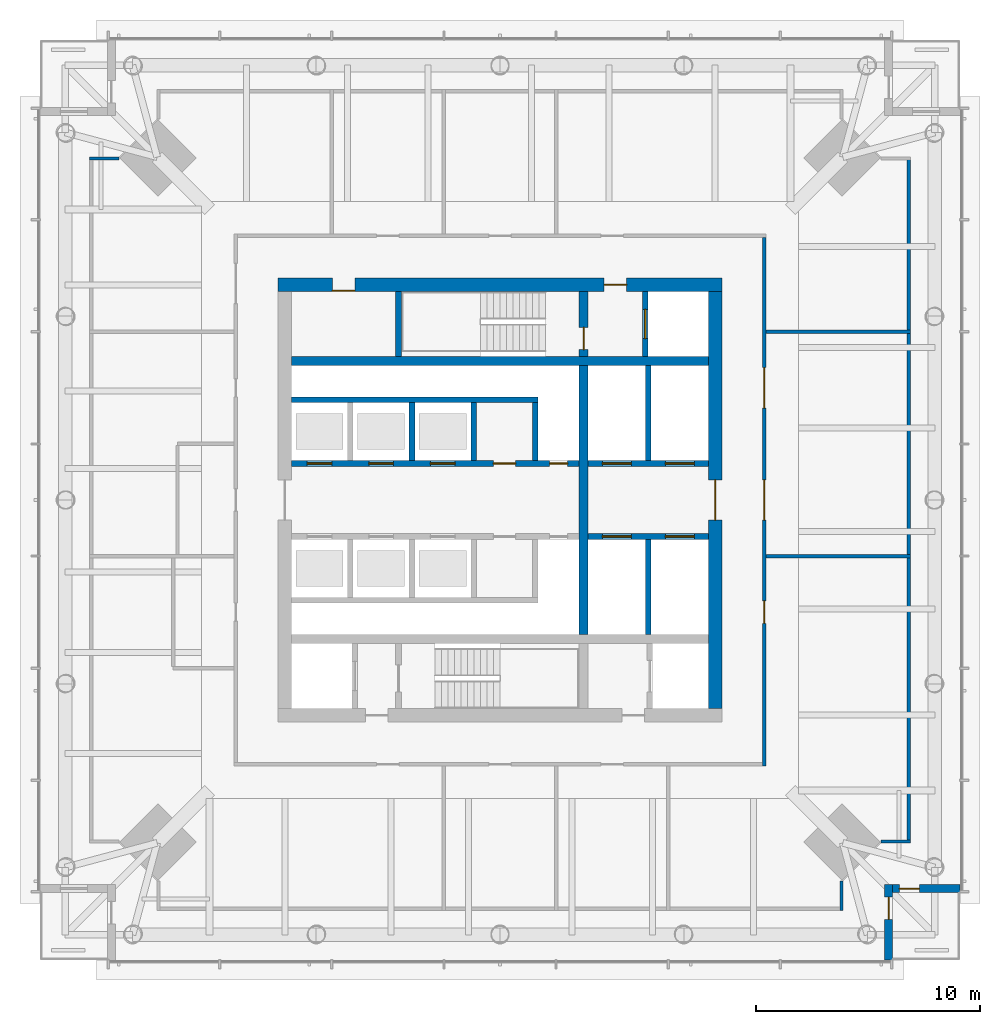
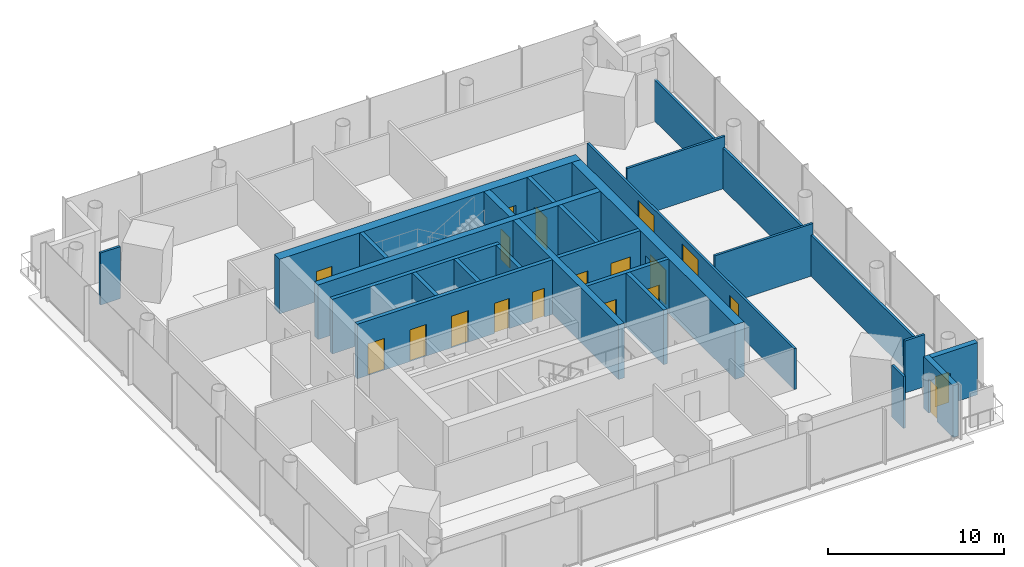
# One storey, part 5 of 12: 25 walls, 19 doors, 19 openings.
"""IFC4 building model written with IfcOpenShell, lengths in metres."""

from ifc_helpers import new_model, si_unit, direction, frame, frame_2d, origin, place, context, subcontext, project, spatial, rectangle, extrude, material, layer, layer_set, type_object, element, fill, save


model = new_model("IFC4")

# Units and contexts
model_context = context("Model", 3, precision=1e-05, world=origin(), true_north=direction((0.0, 1.0)))
body_context = subcontext(model_context, "Body", "Model", "MODEL_VIEW")
ifc_project = project(units=[si_unit("LENGTHUNIT", "METRE"), si_unit("AREAUNIT", "SQUARE_METRE"), si_unit("VOLUMEUNIT", "CUBIC_METRE"), si_unit("PLANEANGLEUNIT", "RADIAN"), si_unit("MASSUNIT", "GRAM", prefix="KILO")], contexts=[model_context])

# Site, building, storey
site_placement = place(None, origin())
site = spatial("IfcSite", under=ifc_project, at=site_placement, CompositionType="ELEMENT")
building_placement = place(site_placement, origin())
building = spatial("IfcBuilding", under=site, at=building_placement, Name="Ostroluk Exchange", CompositionType="ELEMENT")
storey_placement = place(building_placement, frame((0.0, 0.0, 165.39990234375)))
storey = spatial("IfcBuildingStorey", under=building, at=storey_placement, Name="L42", CompositionType="ELEMENT", Elevation=165.39990234375)

# Walls
ifc_material_1 = material(Name="Concrete C50/60", Category="concrete")
ifc_layer_1 = layer(ifc_material_1, 0.39990234375)
ifc_layer_set_1 = layer_set([ifc_layer_1], Name="Core cross wall 400 C50/60")
wall_type_1 = type_object("IfcWallType", Name="Core cross wall 400 C50/60", PredefinedType="SHEAR", material=ifc_layer_set_1)
wall_1_placement = place(storey_placement, frame((35.699951171875, 52.199951171875, 0.0), z_axis=(0.0, 0.0, 1.0), x_axis=(1.0, 0.0, 0.0)))
element("IfcWall", 1, at=wall_1_placement, inside=storey, type_object=wall_type_1, Name="T1 core wall XN", PredefinedType="SHEAR", context=body_context, shape_type="SweptSolid", body=[
    extrude(rectangle(XDim=18.60009765625, YDim=0.39990234375, at=frame_2d((9.300048828125, 0.0))), origin(), (0.0, 0.0, 1.0), 3.800048828125),
])
wall_2_placement = place(storey_placement, frame((48.72998046875, 40.0, 0.0), z_axis=(0.0, 0.0, 1.0), x_axis=(0.0, 1.0, 0.0)))
element("IfcWall", 2, at=wall_2_placement, inside=storey, type_object=wall_type_1, Name="T1 core wall YE2", PredefinedType="SHEAR", context=body_context, shape_type="SweptSolid", body=[
    extrude(rectangle(XDim=12.0, YDim=0.39990234375, at=frame_2d((6.0, 0.0))), origin(), (0.0, 0.0, 1.0), 3.800048828125),
])

# Wall, opening, door
wall_3_placement = place(storey_placement, frame((48.72998046875, 52.39990234375, 0.0), z_axis=(0.0, 0.0, 1.0), x_axis=(0.0, 1.0, 0.0)))
wall_3 = element("IfcWall", 3, at=wall_3_placement, inside=storey, type_object=wall_type_1, Name="T1 core wall YE3", PredefinedType="SHEAR", context=body_context, shape_type="SweptSolid", body=[
    extrude(rectangle(XDim=2.900146484375, YDim=0.39990234375, at=frame_2d((1.4501953125, 0.0))), origin(), (0.0, 0.0, 1.0), 3.800048828125),
])
opening_1_placement = place(wall_3_placement, frame((0.300048828125, 0.0, 0.0)))
opening_1 = element("IfcOpeningElement", 4, at=opening_1_placement, cuts=wall_3, Name="Opening FD60", PredefinedType="OPENING", context=body_context, shape_type="SweptSolid", body=[
    extrude(rectangle(XDim=1.0, YDim=2.10009765625, at=frame_2d((0.5, 1.050048828125))), frame((0.0, 0.2099609375, 0.0), z_axis=(0.0, -1.0, 0.0), x_axis=(1.0, 0.0, 0.0)), (0.0, 0.0, 1.0), 0.419921875),
])
ifc_material_2 = material(Name="Steel", Category="steel")
door_type_1 = type_object("IfcDoorType", Name="Fire door EI 60 1000 x 2100", OperationType="SINGLE_SWING_LEFT", PredefinedType="DOOR", material=ifc_material_2)
door_1_placement = place(opening_1_placement, origin())
door_1 = element("IfcDoor", 5, at=door_1_placement, inside=storey, type_object=door_type_1, Name="Stair T1-S2 door", OperationType="SINGLE_SWING_LEFT", OverallHeight=2.10009765625, OverallWidth=1.0, PredefinedType="DOOR", context=body_context, shape_type="SweptSolid", body=[
    extrude(rectangle(XDim=1.0, YDim=2.10009765625, at=frame_2d((0.5, 1.050048828125))), frame((0.0, 0.02490234375, 0.0), z_axis=(0.0, -1.0, 0.0), x_axis=(1.0, 0.0, 0.0)), (0.0, 0.0, 1.0), 0.050048828125),
])
fill(opening_1, door_1)

# Wall
ifc_material_3 = material(Name="Concrete C40/50", Category="concrete")
ifc_layer_2 = layer(ifc_material_3, 0.25)
ifc_layer_set_2 = layer_set([ifc_layer_2], Name="Core shaft wall 250")
wall_type_2 = type_object("IfcWallType", Name="Core shaft wall 250", PredefinedType="SHEAR", material=ifc_layer_set_2)
wall_4_placement = place(storey_placement, frame((40.47509765625, 52.39990234375, 0.0), z_axis=(0.0, 0.0, 1.0), x_axis=(0.0, 1.0, 0.0)))
element("IfcWall", 6, at=wall_4_placement, inside=storey, type_object=wall_type_2, Name="Stair shaft wall", PredefinedType="SHEAR", context=body_context, shape_type="SweptSolid", body=[
    extrude(rectangle(XDim=2.900146484375, YDim=0.25, at=frame_2d((1.4501953125, 0.0))), origin(), (0.0, 0.0, 1.0), 3.800048828125),
])

# Wall, opening, door
wall_5_placement = place(storey_placement, frame((51.47509765625, 52.39990234375, 0.0), z_axis=(0.0, 0.0, 1.0), x_axis=(0.0, 1.0, 0.0)))
wall_5 = element("IfcWall", 7, at=wall_5_placement, inside=storey, type_object=wall_type_2, Name="Firefighting lift shaft wall", PredefinedType="SHEAR", context=body_context, shape_type="SweptSolid", body=[
    extrude(rectangle(XDim=2.900146484375, YDim=0.25, at=frame_2d((1.4501953125, 0.0))), origin(), (0.0, 0.0, 1.0), 3.800048828125),
])
opening_2_placement = place(wall_5_placement, frame((0.800048828125, 0.0, 0.0)))
opening_2 = element("IfcOpeningElement", 8, at=opening_2_placement, cuts=wall_5, Name="Opening LD2", PredefinedType="OPENING", context=body_context, shape_type="SweptSolid", body=[
    extrude(rectangle(XDim=1.300048828125, YDim=2.199951171875, at=frame_2d((0.64990234375, 1.10009765625))), frame((0.0, 0.135009765625, 0.0), z_axis=(0.0, -1.0, 0.0), x_axis=(1.0, 0.0, 0.0)), (0.0, 0.0, 1.0), 0.27001953125),
])
ifc_material_4 = material(Name="Stainless steel", Category="steel")
door_type_2 = type_object("IfcDoorType", Name="Lift landing door E 60 1300 x 2200", OperationType="DOUBLE_DOOR_SLIDING", PredefinedType="DOOR", material=ifc_material_4)
door_2_placement = place(opening_2_placement, origin())
door_2 = element("IfcDoor", 9, at=door_2_placement, inside=storey, type_object=door_type_2, Name="Lift FL2 landing door", OperationType="DOUBLE_DOOR_SLIDING", OverallHeight=2.199951171875, OverallWidth=1.300048828125, PredefinedType="DOOR", context=body_context, shape_type="SweptSolid", body=[
    extrude(rectangle(XDim=1.300048828125, YDim=2.199951171875, at=frame_2d((0.64990234375, 1.10009765625))), frame((0.0, 0.02490234375, 0.0), z_axis=(0.0, -1.0, 0.0), x_axis=(1.0, 0.0, 0.0)), (0.0, 0.0, 1.0), 0.050048828125),
])
fill(opening_2, door_2)

# Walls
for number, where, z_axis, x_axis, name in (
    (10, (41.074951171875, 47.75, 0.0), (0.0, 0.0, 1.0), (0.0, 1.0, 0.0), "Lift shaft wall"),
    (11, (43.824951171875, 47.75, 0.0), (0.0, 0.0, 1.0), (0.0, 1.0, 0.0), "Lift shaft wall"),
    (12, (46.574951171875, 47.75, 0.0), (0.0, 0.0, 1.0), (0.0, 1.0, 0.0), "Lift shaft wall"),
):
    element("IfcWall", number, at=place(storey_placement, frame(where, z_axis=z_axis, x_axis=x_axis)), inside=storey, type_object=wall_type_2, Name=name, PredefinedType="SHEAR", context=body_context, shape_type="SweptSolid", body=[
        extrude(rectangle(XDim=2.60009765625, YDim=0.25, at=frame_2d((1.300048828125, 0.0))), origin(), (0.0, 0.0, 1.0), 3.800048828125),
    ])
wall_6_placement = place(storey_placement, frame((35.699951171875, 50.47509765625, 0.0), z_axis=(0.0, 0.0, 1.0), x_axis=(1.0, 0.0, 0.0)))
element("IfcWall", 13, at=wall_6_placement, inside=storey, type_object=wall_type_2, Name="Lift shaft wall", PredefinedType="SHEAR", context=body_context, shape_type="SweptSolid", body=[
    extrude(rectangle(XDim=11.0, YDim=0.25, at=frame_2d((5.5, 0.0))), origin(), (0.0, 0.0, 1.0), 3.800048828125),
])

# Wall, openings, doors
wall_7_placement = place(storey_placement, frame((35.699951171875, 47.625, 0.0), z_axis=(0.0, 0.0, 1.0), x_axis=(1.0, 0.0, 0.0)))
wall_7 = element("IfcWall", 14, at=wall_7_placement, inside=storey, type_object=wall_type_2, Name="Lift shaft front wall", PredefinedType="SHEAR", context=body_context, shape_type="SweptSolid", body=[
    extrude(rectangle(XDim=12.830078125, YDim=0.25, at=frame_2d((6.4150390625, 0.0))), origin(), (0.0, 0.0, 1.0), 3.800048828125),
])
opening_3_placement = place(wall_7_placement, frame((0.699951171875, 0.0, 0.0)))
opening_3 = element("IfcOpeningElement", 15, at=opening_3_placement, cuts=wall_7, Name="Opening LD", PredefinedType="OPENING", context=body_context, shape_type="SweptSolid", body=[
    extrude(rectangle(XDim=1.10009765625, YDim=2.199951171875, at=frame_2d((0.550048828125, 1.10009765625))), frame((0.0, 0.135009765625, 0.0), z_axis=(0.0, -1.0, 0.0), x_axis=(1.0, 0.0, 0.0)), (0.0, 0.0, 1.0), 0.27001953125),
])
opening_4_placement = place(wall_7_placement, frame((3.449951171875, 0.0, 0.0)))
opening_4 = element("IfcOpeningElement", 16, at=opening_4_placement, cuts=wall_7, Name="Opening LD", PredefinedType="OPENING", context=body_context, shape_type="SweptSolid", body=[
    extrude(rectangle(XDim=1.10009765625, YDim=2.199951171875, at=frame_2d((0.550048828125, 1.10009765625))), frame((0.0, 0.135009765625, 0.0), z_axis=(0.0, -1.0, 0.0), x_axis=(1.0, 0.0, 0.0)), (0.0, 0.0, 1.0), 0.27001953125),
])
opening_5_placement = place(wall_7_placement, frame((6.199951171875, 0.0, 0.0)))
opening_5 = element("IfcOpeningElement", 17, at=opening_5_placement, cuts=wall_7, Name="Opening LD", PredefinedType="OPENING", context=body_context, shape_type="SweptSolid", body=[
    extrude(rectangle(XDim=1.10009765625, YDim=2.199951171875, at=frame_2d((0.550048828125, 1.10009765625))), frame((0.0, 0.135009765625, 0.0), z_axis=(0.0, -1.0, 0.0), x_axis=(1.0, 0.0, 0.0)), (0.0, 0.0, 1.0), 0.27001953125),
])
opening_6_placement = place(wall_7_placement, frame((9.0, 0.0, 0.0)))
opening_6 = element("IfcOpeningElement", 18, at=opening_6_placement, cuts=wall_7, Name="Opening FD60", PredefinedType="OPENING", context=body_context, shape_type="SweptSolid", body=[
    extrude(rectangle(XDim=1.0, YDim=2.10009765625, at=frame_2d((0.5, 1.050048828125))), frame((0.0, 0.135009765625, 0.0), z_axis=(0.0, -1.0, 0.0), x_axis=(1.0, 0.0, 0.0)), (0.0, 0.0, 1.0), 0.27001953125),
])
opening_7_placement = place(wall_7_placement, frame((11.514892578125, 0.0, 0.0)))
opening_7 = element("IfcOpeningElement", 19, at=opening_7_placement, cuts=wall_7, Name="Opening RD60", PredefinedType="OPENING", context=body_context, shape_type="SweptSolid", body=[
    extrude(rectangle(XDim=0.800048828125, YDim=2.0, at=frame_2d((0.39990234375, 1.0))), frame((0.0, 0.135009765625, 0.0), z_axis=(0.0, -1.0, 0.0), x_axis=(1.0, 0.0, 0.0)), (0.0, 0.0, 1.0), 0.27001953125),
])
door_3_placement = place(opening_6_placement, origin())
door_3 = element("IfcDoor", 20, at=door_3_placement, inside=storey, type_object=door_type_1, Name="Core room door", OperationType="SINGLE_SWING_RIGHT", OverallHeight=2.10009765625, OverallWidth=1.0, PredefinedType="DOOR", context=body_context, shape_type="SweptSolid", body=[
    extrude(rectangle(XDim=1.0, YDim=2.10009765625, at=frame_2d((0.5, 1.050048828125))), frame((0.0, 0.02490234375, 0.0), z_axis=(0.0, -1.0, 0.0), x_axis=(1.0, 0.0, 0.0)), (0.0, 0.0, 1.0), 0.050048828125),
])
fill(opening_6, door_3)
ifc_material_5 = material(Name="Stainless steel", Category="steel")
door_type_3 = type_object("IfcDoorType", Name="Lift landing door E 60 1100 x 2200", OperationType="DOUBLE_DOOR_SLIDING", PredefinedType="DOOR", material=ifc_material_5)
door_4_placement = place(opening_3_placement, origin())
door_4 = element("IfcDoor", 21, at=door_4_placement, inside=storey, type_object=door_type_3, Name="Lift PL-H1 landing door", OperationType="DOUBLE_DOOR_SLIDING", OverallHeight=2.199951171875, OverallWidth=1.10009765625, PredefinedType="DOOR", context=body_context, shape_type="SweptSolid", body=[
    extrude(rectangle(XDim=1.10009765625, YDim=2.199951171875, at=frame_2d((0.550048828125, 1.10009765625))), frame((0.0, 0.02490234375, 0.0), z_axis=(0.0, -1.0, 0.0), x_axis=(1.0, 0.0, 0.0)), (0.0, 0.0, 1.0), 0.050048828125),
])
fill(opening_3, door_4)
door_5_placement = place(opening_4_placement, origin())
door_5 = element("IfcDoor", 22, at=door_5_placement, inside=storey, type_object=door_type_3, Name="Lift PL-H2 landing door", OperationType="DOUBLE_DOOR_SLIDING", OverallHeight=2.199951171875, OverallWidth=1.10009765625, PredefinedType="DOOR", context=body_context, shape_type="SweptSolid", body=[
    extrude(rectangle(XDim=1.10009765625, YDim=2.199951171875, at=frame_2d((0.550048828125, 1.10009765625))), frame((0.0, 0.02490234375, 0.0), z_axis=(0.0, -1.0, 0.0), x_axis=(1.0, 0.0, 0.0)), (0.0, 0.0, 1.0), 0.050048828125),
])
fill(opening_4, door_5)
door_6_placement = place(opening_5_placement, origin())
door_6 = element("IfcDoor", 23, at=door_6_placement, inside=storey, type_object=door_type_3, Name="Lift PL-H3 landing door", OperationType="DOUBLE_DOOR_SLIDING", OverallHeight=2.199951171875, OverallWidth=1.10009765625, PredefinedType="DOOR", context=body_context, shape_type="SweptSolid", body=[
    extrude(rectangle(XDim=1.10009765625, YDim=2.199951171875, at=frame_2d((0.550048828125, 1.10009765625))), frame((0.0, 0.02490234375, 0.0), z_axis=(0.0, -1.0, 0.0), x_axis=(1.0, 0.0, 0.0)), (0.0, 0.0, 1.0), 0.050048828125),
])
fill(opening_5, door_6)
ifc_material_6 = material(Name="Steel", Category="steel")
door_type_4 = type_object("IfcDoorType", Name="Riser access door EI 60 800 x 2000", OperationType="SINGLE_SWING_LEFT", PredefinedType="DOOR", material=ifc_material_6)
door_7_placement = place(opening_7_placement, origin())
door_7 = element("IfcDoor", 24, at=door_7_placement, inside=storey, type_object=door_type_4, Name="Riser access door", OperationType="SINGLE_SWING_RIGHT", OverallHeight=2.0, OverallWidth=0.800048828125, PredefinedType="DOOR", context=body_context, shape_type="SweptSolid", body=[
    extrude(rectangle(XDim=0.800048828125, YDim=2.0, at=frame_2d((0.39990234375, 1.0))), frame((0.0, 0.02490234375, 0.0), z_axis=(0.0, -1.0, 0.0), x_axis=(1.0, 0.0, 0.0)), (0.0, 0.0, 1.0), 0.050048828125),
])
fill(opening_7, door_7)

# Wall
wall_8_placement = place(storey_placement, frame((51.614990234375, 47.75, 0.0), z_axis=(0.0, 0.0, 1.0), x_axis=(0.0, 1.0, 0.0)))
element("IfcWall", 25, at=wall_8_placement, inside=storey, type_object=wall_type_2, Name="Lift shaft wall", PredefinedType="SHEAR", context=body_context, shape_type="SweptSolid", body=[
    extrude(rectangle(XDim=4.25, YDim=0.25, at=frame_2d((2.125, 0.0))), origin(), (0.0, 0.0, 1.0), 3.800048828125),
])

# Wall, openings, doors
wall_9_placement = place(storey_placement, frame((48.929931640625, 47.625, 0.0), z_axis=(0.0, 0.0, 1.0), x_axis=(1.0, 0.0, 0.0)))
wall_9 = element("IfcWall", 26, at=wall_9_placement, inside=storey, type_object=wall_type_2, Name="Lift shaft front wall", PredefinedType="SHEAR", context=body_context, shape_type="SweptSolid", body=[
    extrude(rectangle(XDim=5.3701171875, YDim=0.25, at=frame_2d((2.68505859375, 0.0))), origin(), (0.0, 0.0, 1.0), 3.800048828125),
])
opening_8_placement = place(wall_9_placement, frame((0.6298828125, 0.0, 0.0)))
opening_8 = element("IfcOpeningElement", 27, at=opening_8_placement, cuts=wall_9, Name="Opening LD2", PredefinedType="OPENING", context=body_context, shape_type="SweptSolid", body=[
    extrude(rectangle(XDim=1.300048828125, YDim=2.199951171875, at=frame_2d((0.64990234375, 1.10009765625))), frame((0.0, 0.135009765625, 0.0), z_axis=(0.0, -1.0, 0.0), x_axis=(1.0, 0.0, 0.0)), (0.0, 0.0, 1.0), 0.27001953125),
])
opening_9_placement = place(wall_9_placement, frame((3.43994140625, 0.0, 0.0)))
opening_9 = element("IfcOpeningElement", 28, at=opening_9_placement, cuts=wall_9, Name="Opening LD2", PredefinedType="OPENING", context=body_context, shape_type="SweptSolid", body=[
    extrude(rectangle(XDim=1.300048828125, YDim=2.199951171875, at=frame_2d((0.64990234375, 1.10009765625))), frame((0.0, 0.135009765625, 0.0), z_axis=(0.0, -1.0, 0.0), x_axis=(1.0, 0.0, 0.0)), (0.0, 0.0, 1.0), 0.27001953125),
])
door_8_placement = place(opening_8_placement, origin())
door_8 = element("IfcDoor", 29, at=door_8_placement, inside=storey, type_object=door_type_2, Name="Lift SX1 landing door", OperationType="DOUBLE_DOOR_SLIDING", OverallHeight=2.199951171875, OverallWidth=1.300048828125, PredefinedType="DOOR", context=body_context, shape_type="SweptSolid", body=[
    extrude(rectangle(XDim=1.300048828125, YDim=2.199951171875, at=frame_2d((0.64990234375, 1.10009765625))), frame((0.0, 0.02490234375, 0.0), z_axis=(0.0, -1.0, 0.0), x_axis=(1.0, 0.0, 0.0)), (0.0, 0.0, 1.0), 0.050048828125),
])
fill(opening_8, door_8)
door_9_placement = place(opening_9_placement, origin())
door_9 = element("IfcDoor", 30, at=door_9_placement, inside=storey, type_object=door_type_2, Name="Lift SX2 landing door", OperationType="DOUBLE_DOOR_SLIDING", OverallHeight=2.199951171875, OverallWidth=1.300048828125, PredefinedType="DOOR", context=body_context, shape_type="SweptSolid", body=[
    extrude(rectangle(XDim=1.300048828125, YDim=2.199951171875, at=frame_2d((0.64990234375, 1.10009765625))), frame((0.0, 0.02490234375, 0.0), z_axis=(0.0, -1.0, 0.0), x_axis=(1.0, 0.0, 0.0)), (0.0, 0.0, 1.0), 0.050048828125),
])
fill(opening_9, door_9)

# Wall
wall_10_placement = place(storey_placement, frame((51.614990234375, 44.25, 0.0), z_axis=(0.0, 0.0, 1.0), x_axis=(0.0, -1.0, 0.0)))
element("IfcWall", 31, at=wall_10_placement, inside=storey, type_object=wall_type_2, Name="Lift shaft wall", PredefinedType="SHEAR", context=body_context, shape_type="SweptSolid", body=[
    extrude(rectangle(XDim=4.25, YDim=0.25, at=frame_2d((2.125, 0.0))), origin(), (0.0, 0.0, 1.0), 3.800048828125),
])

# Wall, openings, doors
wall_11_placement = place(storey_placement, frame((48.929931640625, 44.375, 0.0), z_axis=(0.0, 0.0, 1.0), x_axis=(1.0, 0.0, 0.0)))
wall_11 = element("IfcWall", 32, at=wall_11_placement, inside=storey, type_object=wall_type_2, Name="Lift shaft front wall", PredefinedType="SHEAR", context=body_context, shape_type="SweptSolid", body=[
    extrude(rectangle(XDim=5.3701171875, YDim=0.25, at=frame_2d((2.68505859375, 0.0))), origin(), (0.0, 0.0, 1.0), 3.800048828125),
])
opening_10_placement = place(wall_11_placement, frame((0.6298828125, 0.0, 0.0)))
opening_10 = element("IfcOpeningElement", 33, at=opening_10_placement, cuts=wall_11, Name="Opening LD2", PredefinedType="OPENING", context=body_context, shape_type="SweptSolid", body=[
    extrude(rectangle(XDim=1.300048828125, YDim=2.199951171875, at=frame_2d((0.64990234375, 1.10009765625))), frame((0.0, 0.135009765625, 0.0), z_axis=(0.0, -1.0, 0.0), x_axis=(1.0, 0.0, 0.0)), (0.0, 0.0, 1.0), 0.27001953125),
])
opening_11_placement = place(wall_11_placement, frame((3.43994140625, 0.0, 0.0)))
opening_11 = element("IfcOpeningElement", 34, at=opening_11_placement, cuts=wall_11, Name="Opening LD2", PredefinedType="OPENING", context=body_context, shape_type="SweptSolid", body=[
    extrude(rectangle(XDim=1.300048828125, YDim=2.199951171875, at=frame_2d((0.64990234375, 1.10009765625))), frame((0.0, 0.135009765625, 0.0), z_axis=(0.0, -1.0, 0.0), x_axis=(1.0, 0.0, 0.0)), (0.0, 0.0, 1.0), 0.27001953125),
])
door_10_placement = place(opening_10_placement, origin())
door_10 = element("IfcDoor", 35, at=door_10_placement, inside=storey, type_object=door_type_2, Name="Lift SX3 landing door", OperationType="DOUBLE_DOOR_SLIDING", OverallHeight=2.199951171875, OverallWidth=1.300048828125, PredefinedType="DOOR", context=body_context, shape_type="SweptSolid", body=[
    extrude(rectangle(XDim=1.300048828125, YDim=2.199951171875, at=frame_2d((0.64990234375, 1.10009765625))), frame((0.0, 0.02490234375, 0.0), z_axis=(0.0, -1.0, 0.0), x_axis=(1.0, 0.0, 0.0)), (0.0, 0.0, 1.0), 0.050048828125),
])
fill(opening_10, door_10)
door_11_placement = place(opening_11_placement, origin())
door_11 = element("IfcDoor", 36, at=door_11_placement, inside=storey, type_object=door_type_2, Name="Lift SX4 landing door", OperationType="DOUBLE_DOOR_SLIDING", OverallHeight=2.199951171875, OverallWidth=1.300048828125, PredefinedType="DOOR", context=body_context, shape_type="SweptSolid", body=[
    extrude(rectangle(XDim=1.300048828125, YDim=2.199951171875, at=frame_2d((0.64990234375, 1.10009765625))), frame((0.0, 0.02490234375, 0.0), z_axis=(0.0, -1.0, 0.0), x_axis=(1.0, 0.0, 0.0)), (0.0, 0.0, 1.0), 0.050048828125),
])
fill(opening_11, door_11)

ifc_material_7 = material(Name="Concrete C50/60", Category="concrete")
ifc_layer_3 = layer(ifc_material_7, 0.60009765625)
ifc_layer_set_3 = layer_set([ifc_layer_3], Name="Core wall 600 C50/60")
wall_type_3 = type_object("IfcWallType", Name="Core wall 600 C50/60", PredefinedType="SHEAR", material=ifc_layer_set_3)
wall_12_placement = place(storey_placement, frame((35.10009765625, 55.60009765625, 0.0), z_axis=(0.0, 0.0, 1.0), x_axis=(1.0, 0.0, 0.0)))
wall_12 = element("IfcWall", 37, at=wall_12_placement, inside=storey, type_object=wall_type_3, Name="T1 core wall N", PredefinedType="SHEAR", context=body_context, shape_type="SweptSolid", body=[
    extrude(rectangle(XDim=19.7998046875, YDim=0.60009765625, at=frame_2d((9.89990234375, 0.0))), origin(), (0.0, 0.0, 1.0), 3.800048828125),
])
opening_12_placement = place(wall_12_placement, frame((14.5400390625, 0.0, 0.0)))
opening_12 = element("IfcOpeningElement", 38, at=opening_12_placement, cuts=wall_12, Name="Opening FD60", PredefinedType="OPENING", context=body_context, shape_type="SweptSolid", body=[
    extrude(rectangle(XDim=1.0, YDim=2.10009765625, at=frame_2d((0.5, 1.050048828125))), frame((0.0, 0.31005859375, 0.0), z_axis=(0.0, -1.0, 0.0), x_axis=(1.0, 0.0, 0.0)), (0.0, 0.0, 1.0), 0.6201171875),
])
opening_13_placement = place(wall_12_placement, frame((2.425048828125, 0.0, 0.0)))
opening_13 = element("IfcOpeningElement", 39, at=opening_13_placement, cuts=wall_12, Name="Opening FD60", PredefinedType="OPENING", context=body_context, shape_type="SweptSolid", body=[
    extrude(rectangle(XDim=1.0, YDim=2.10009765625, at=frame_2d((0.5, 1.050048828125))), frame((0.0, 0.31005859375, 0.0), z_axis=(0.0, -1.0, 0.0), x_axis=(1.0, 0.0, 0.0)), (0.0, 0.0, 1.0), 0.6201171875),
])
door_12_placement = place(opening_12_placement, origin())
door_12 = element("IfcDoor", 40, at=door_12_placement, inside=storey, type_object=door_type_1, Name="Firefighting lobby door", OperationType="SINGLE_SWING_RIGHT", OverallHeight=2.10009765625, OverallWidth=1.0, PredefinedType="DOOR", context=body_context, shape_type="SweptSolid", body=[
    extrude(rectangle(XDim=1.0, YDim=2.10009765625, at=frame_2d((0.5, 1.050048828125))), frame((0.0, 0.02490234375, 0.0), z_axis=(0.0, -1.0, 0.0), x_axis=(1.0, 0.0, 0.0)), (0.0, 0.0, 1.0), 0.050048828125),
])
fill(opening_12, door_12)
door_13_placement = place(opening_13_placement, origin())
door_13 = element("IfcDoor", 41, at=door_13_placement, inside=storey, type_object=door_type_1, Name="Concierge office door", OperationType="SINGLE_SWING_LEFT", OverallHeight=2.10009765625, OverallWidth=1.0, PredefinedType="DOOR", context=body_context, shape_type="SweptSolid", body=[
    extrude(rectangle(XDim=1.0, YDim=2.10009765625, at=frame_2d((0.5, 1.050048828125))), frame((0.0, -0.23974609375, 0.0), z_axis=(0.0, -1.0, 0.0), x_axis=(1.0, 0.0, 0.0)), (0.0, 0.0, 1.0), 0.050048828125),
])
fill(opening_13, door_13)

# Wall, opening, door
wall_13_placement = place(storey_placement, frame((54.60009765625, 36.699951171875, 0.0), z_axis=(0.0, 0.0, 1.0), x_axis=(0.0, 1.0, 0.0)))
wall_13 = element("IfcWall", 42, at=wall_13_placement, inside=storey, type_object=wall_type_3, Name="T1 core wall E", PredefinedType="SHEAR", context=body_context, shape_type="SweptSolid", body=[
    extrude(rectangle(XDim=18.60009765625, YDim=0.60009765625, at=frame_2d((9.300048828125, 0.0))), origin(), (0.0, 0.0, 1.0), 3.800048828125),
])
opening_14_placement = place(wall_13_placement, frame((8.39990234375, 0.0, 0.0)))
opening_14 = element("IfcOpeningElement", 43, at=opening_14_placement, cuts=wall_13, Name="Opening FD30D", PredefinedType="OPENING", context=body_context, shape_type="SweptSolid", body=[
    extrude(rectangle(XDim=1.800048828125, YDim=2.39990234375, at=frame_2d((0.89990234375, 1.199951171875))), frame((0.0, 0.31005859375, 0.0), z_axis=(0.0, -1.0, 0.0), x_axis=(1.0, 0.0, 0.0)), (0.0, 0.0, 1.0), 0.6201171875),
])
ifc_material_8 = material(Name="Timber", Category="wood")
door_type_5 = type_object("IfcDoorType", Name="Lobby double door EI 30 1800 x 2400", OperationType="DOUBLE_DOOR_SINGLE_SWING", PredefinedType="DOOR", material=ifc_material_8)
door_14_placement = place(opening_14_placement, origin())
door_14 = element("IfcDoor", 44, at=door_14_placement, inside=storey, type_object=door_type_5, Name="Lift lobby doors", OperationType="DOUBLE_DOOR_SINGLE_SWING", OverallHeight=2.39990234375, OverallWidth=1.800048828125, PredefinedType="DOOR", context=body_context, shape_type="SweptSolid", body=[
    extrude(rectangle(XDim=1.800048828125, YDim=2.39990234375, at=frame_2d((0.89990234375, 1.199951171875))), frame((0.0, 0.02490234375, 0.0), z_axis=(0.0, -1.0, 0.0), x_axis=(1.0, 0.0, 0.0)), (0.0, 0.0, 1.0), 0.050048828125),
])
fill(opening_14, door_14)

ifc_material_9 = material(Name="Limestone", Category="masonry")
ifc_layer_4 = layer(ifc_material_9, 0.35009765625)
ifc_layer_set_4 = layer_set([ifc_layer_4], Name="Limestone facade wall 350")
wall_type_4 = type_object("IfcWallType", Name="Limestone facade wall 350", PredefinedType="SOLIDWALL", material=ifc_layer_set_4)
wall_14_placement = place(storey_placement, frame((62.324951171875, 25.5, 0.0), z_axis=(0.0, 0.0, 1.0), x_axis=(0.0, 1.0, 0.0)))
wall_14 = element("IfcWall", 45, at=wall_14_placement, inside=storey, type_object=wall_type_4, Name="Office tower SE corner wall L42 a", PredefinedType="SOLIDWALL", context=body_context, shape_type="SweptSolid", body=[
    extrude(rectangle(XDim=3.35009765625, YDim=0.35009765625, at=frame_2d((1.675048828125, 0.0))), origin(), (0.0, 0.0, 1.0), 3.6201171875),
])
opening_15_placement = place(wall_14_placement, frame((1.800048828125, 0.0, 0.0)))
opening_15 = element("IfcOpeningElement", 46, at=opening_15_placement, cuts=wall_14, Name="Opening D-B1", PredefinedType="OPENING", context=body_context, shape_type="SweptSolid", body=[
    extrude(rectangle(XDim=1.0, YDim=2.39990234375, at=frame_2d((0.5, 1.199951171875))), frame((0.0, 0.18505859375, 0.0), z_axis=(0.0, -1.0, 0.0), x_axis=(1.0, 0.0, 0.0)), (0.0, 0.0, 1.0), 0.3701171875),
])
ifc_material_10 = material(Name="Bronze framed glazed door", Category="aluminium")
door_type_6 = type_object("IfcDoorType", Name="Balcony door 1000 x 2400", OperationType="SINGLE_SWING_LEFT", PredefinedType="DOOR", material=ifc_material_10)
door_15_placement = place(opening_15_placement, origin())
door_15 = element("IfcDoor", 47, at=door_15_placement, inside=storey, type_object=door_type_6, Name="Office tower SE balcony door L42", OperationType="SINGLE_SWING_RIGHT", OverallHeight=2.39990234375, OverallWidth=1.0, PredefinedType="DOOR", context=body_context, shape_type="SweptSolid", body=[
    extrude(rectangle(XDim=1.0, YDim=2.39990234375, at=frame_2d((0.5, 1.199951171875))), frame((0.0, 0.02490234375, 0.0), z_axis=(0.0, -1.0, 0.0), x_axis=(1.0, 0.0, 0.0)), (0.0, 0.0, 1.0), 0.050048828125),
])
fill(opening_15, door_15)

wall_15_placement = place(storey_placement, frame((62.5, 28.675048828125, 0.0), z_axis=(0.0, 0.0, 1.0), x_axis=(1.0, 0.0, 0.0)))
wall_15 = element("IfcWall", 48, at=wall_15_placement, inside=storey, type_object=wall_type_4, Name="Office tower SE corner wall L42 b", PredefinedType="SOLIDWALL", context=body_context, shape_type="SweptSolid", body=[
    extrude(rectangle(XDim=3.0, YDim=0.35009765625, at=frame_2d((1.5, 0.0))), origin(), (0.0, 0.0, 1.0), 3.6201171875),
])
opening_16_placement = place(wall_15_placement, frame((0.300048828125, 0.0, 0.0)))
opening_16 = element("IfcOpeningElement", 49, at=opening_16_placement, cuts=wall_15, Name="Opening D-M1", PredefinedType="OPENING", context=body_context, shape_type="SweptSolid", body=[
    extrude(rectangle(XDim=0.89990234375, YDim=2.10009765625, at=frame_2d((0.449951171875, 1.050048828125))), frame((0.0, 0.18505859375, 0.0), z_axis=(0.0, -1.0, 0.0), x_axis=(1.0, 0.0, 0.0)), (0.0, 0.0, 1.0), 0.3701171875),
])
ifc_material_11 = material(Name="Steel door", Category="steel")
door_type_7 = type_object("IfcDoorType", Name="Maintenance access door 900 x 2100", OperationType="SINGLE_SWING_LEFT", PredefinedType="DOOR", material=ifc_material_11)
door_16_placement = place(opening_16_placement, origin())
door_16 = element("IfcDoor", 50, at=door_16_placement, inside=storey, type_object=door_type_7, Name="Maintenance access door T1 L42 SE", OperationType="SINGLE_SWING_LEFT", OverallHeight=2.10009765625, OverallWidth=0.89990234375, PredefinedType="DOOR", context=body_context, shape_type="SweptSolid", body=[
    extrude(rectangle(XDim=0.89990234375, YDim=2.10009765625, at=frame_2d((0.449951171875, 1.050048828125))), frame((0.0, 0.02490234375, 0.0), z_axis=(0.0, -1.0, 0.0), x_axis=(1.0, 0.0, 0.0)), (0.0, 0.0, 1.0), 0.050048828125),
])
fill(opening_16, door_16)

# Wall, openings, doors
ifc_material_12 = material(Name="Gypsum plasterboard partition", Category="gypsum")
ifc_layer_5 = layer(ifc_material_12, 0.14990234375)
ifc_layer_set_5 = layer_set([ifc_layer_5], Name="Plasterboard partition 150")
wall_type_5 = type_object("IfcWallType", Name="Plasterboard partition 150", PredefinedType="PARTITIONING", material=ifc_layer_set_5)
wall_16_placement = place(storey_placement, frame((56.77490234375, 34.14990234375, 0.0), z_axis=(0.0, 0.0, 1.0), x_axis=(0.0, 1.0, 0.0)))
wall_16 = element("IfcWall", 51, at=wall_16_placement, inside=storey, type_object=wall_type_5, Name="Partition", PredefinedType="PARTITIONING", context=body_context, shape_type="SweptSolid", body=[
    extrude(rectangle(XDim=23.550048828125, YDim=0.14990234375, at=frame_2d((11.77490234375, 0.0))), origin(), (0.0, 0.0, 1.0), 2.85009765625),
])
opening_17_placement = place(wall_16_placement, frame((6.35009765625, 0.0, 0.0)))
opening_17 = element("IfcOpeningElement", 52, at=opening_17_placement, cuts=wall_16, Name="Opening D-03", PredefinedType="OPENING", context=body_context, shape_type="SweptSolid", body=[
    extrude(rectangle(XDim=1.0, YDim=2.10009765625, at=frame_2d((0.5, 1.050048828125))), frame((0.0, 0.0849609375, 0.0), z_axis=(0.0, -1.0, 0.0), x_axis=(1.0, 0.0, 0.0)), (0.0, 0.0, 1.0), 0.169921875),
])
opening_18_placement = place(wall_16_placement, frame((10.949951171875, 0.0, 0.0)))
opening_18 = element("IfcOpeningElement", 53, at=opening_18_placement, cuts=wall_16, Name="Opening D-04", PredefinedType="OPENING", context=body_context, shape_type="SweptSolid", body=[
    extrude(rectangle(XDim=1.800048828125, YDim=2.39990234375, at=frame_2d((0.89990234375, 1.199951171875))), frame((0.0, 0.0849609375, 0.0), z_axis=(0.0, -1.0, 0.0), x_axis=(1.0, 0.0, 0.0)), (0.0, 0.0, 1.0), 0.169921875),
])
opening_19_placement = place(wall_16_placement, frame((15.949951171875, 0.0, 0.0)))
opening_19 = element("IfcOpeningElement", 54, at=opening_19_placement, cuts=wall_16, Name="Opening D-04", PredefinedType="OPENING", context=body_context, shape_type="SweptSolid", body=[
    extrude(rectangle(XDim=1.800048828125, YDim=2.39990234375, at=frame_2d((0.89990234375, 1.199951171875))), frame((0.0, 0.0849609375, 0.0), z_axis=(0.0, -1.0, 0.0), x_axis=(1.0, 0.0, 0.0)), (0.0, 0.0, 1.0), 0.169921875),
])
ifc_material_13 = material(Name="Timber", Category="wood")
door_type_8 = type_object("IfcDoorType", Name="Double door 1800 x 2400", OperationType="DOUBLE_DOOR_SINGLE_SWING", PredefinedType="DOOR", material=ifc_material_13)
door_17_placement = place(opening_18_placement, origin())
door_17 = element("IfcDoor", 55, at=door_17_placement, inside=storey, type_object=door_type_8, Name="Cafe door", OperationType="DOUBLE_DOOR_SINGLE_SWING", OverallHeight=2.39990234375, OverallWidth=1.800048828125, PredefinedType="DOOR", context=body_context, shape_type="SweptSolid", body=[
    extrude(rectangle(XDim=1.800048828125, YDim=2.39990234375, at=frame_2d((0.89990234375, 1.199951171875))), frame((0.0, 0.02490234375, 0.0), z_axis=(0.0, -1.0, 0.0), x_axis=(1.0, 0.0, 0.0)), (0.0, 0.0, 1.0), 0.050048828125),
])
fill(opening_18, door_17)
door_18_placement = place(opening_19_placement, origin())
door_18 = element("IfcDoor", 56, at=door_18_placement, inside=storey, type_object=door_type_8, Name="Cafe door", OperationType="DOUBLE_DOOR_SINGLE_SWING", OverallHeight=2.39990234375, OverallWidth=1.800048828125, PredefinedType="DOOR", context=body_context, shape_type="SweptSolid", body=[
    extrude(rectangle(XDim=1.800048828125, YDim=2.39990234375, at=frame_2d((0.89990234375, 1.199951171875))), frame((0.0, 0.02490234375, 0.0), z_axis=(0.0, -1.0, 0.0), x_axis=(1.0, 0.0, 0.0)), (0.0, 0.0, 1.0), 0.050048828125),
])
fill(opening_19, door_18)
ifc_material_14 = material(Name="Timber", Category="wood")
door_type_9 = type_object("IfcDoorType", Name="Internal door 1000 x 2100", OperationType="SINGLE_SWING_LEFT", PredefinedType="DOOR", material=ifc_material_14)
door_19_placement = place(opening_17_placement, origin())
door_19 = element("IfcDoor", 57, at=door_19_placement, inside=storey, type_object=door_type_9, Name="Meeting room door", OperationType="SINGLE_SWING_LEFT", OverallHeight=2.10009765625, OverallWidth=1.0, PredefinedType="DOOR", context=body_context, shape_type="SweptSolid", body=[
    extrude(rectangle(XDim=1.0, YDim=2.10009765625, at=frame_2d((0.5, 1.050048828125))), frame((0.0, 0.02490234375, 0.0), z_axis=(0.0, -1.0, 0.0), x_axis=(1.0, 0.0, 0.0)), (0.0, 0.0, 1.0), 0.050048828125),
])
fill(opening_17, door_19)

# Walls
for number, where, z_axis, x_axis, name in (
    (58, (56.85009765625, 43.5, 0.0), (0.0, 0.0, 1.0), (1.0, 0.0, 0.0), "Partition"),
    (59, (56.85009765625, 53.5, 0.0), (0.0, 0.0, 1.0), (1.0, 0.0, 0.0), "Partition"),
):
    element("IfcWall", number, at=place(storey_placement, frame(where, z_axis=z_axis, x_axis=x_axis)), inside=storey, type_object=wall_type_5, Name=name, PredefinedType="PARTITIONING", context=body_context, shape_type="SweptSolid", body=[
        extrude(rectangle(XDim=6.449951171875, YDim=0.14990234375, at=frame_2d((3.22509765625, 0.0))), origin(), (0.0, 0.0, 1.0), 3.6201171875),
    ])
wall_17_placement = place(storey_placement, frame((26.699951171875, 61.22509765625, 0.0), z_axis=(0.0, 0.0, 1.0), x_axis=(1.0, 0.0, 0.0)))
element("IfcWall", 60, at=wall_17_placement, inside=storey, type_object=wall_type_5, Name="Truss zone partition", PredefinedType="PARTITIONING", context=body_context, shape_type="SweptSolid", body=[
    extrude(rectangle(XDim=1.3173828125, YDim=0.14990234375, at=frame_2d((0.65869140625, 0.0))), origin(), (0.0, 0.0, 1.0), 3.6201171875),
])
wall_18_placement = place(storey_placement, frame((63.22509765625, 61.300048828125, 0.0), z_axis=(0.0, 0.0, 1.0), x_axis=(0.0, -1.0, 0.0)))
element("IfcWall", 61, at=wall_18_placement, inside=storey, type_object=wall_type_5, Name="Truss zone partition", PredefinedType="PARTITIONING", context=body_context, shape_type="SweptSolid", body=[
    extrude(rectangle(XDim=30.60009765625, YDim=0.14990234375, at=frame_2d((15.300048828125, 0.0))), origin(), (0.0, 0.0, 1.0), 2.85009765625),
])
for number, where, z_axis, x_axis, name in (
    (62, (63.300048828125, 30.77490234375, 0.0), (0.0, 0.0, 1.0), (-1.0, 0.0, 0.0), "Truss zone partition"),
    (63, (60.22509765625, 29.017333984375, 0.0), (0.0, 0.0, 1.0), (0.0, -1.0, 0.0), "Truss zone partition"),
):
    element("IfcWall", number, at=place(storey_placement, frame(where, z_axis=z_axis, x_axis=x_axis)), inside=storey, type_object=wall_type_5, Name=name, PredefinedType="PARTITIONING", context=body_context, shape_type="SweptSolid", body=[
        extrude(rectangle(XDim=1.3173828125, YDim=0.14990234375, at=frame_2d((0.65869140625, 0.0))), origin(), (0.0, 0.0, 1.0), 3.6201171875),
    ])

save(model, "model.ifc")
